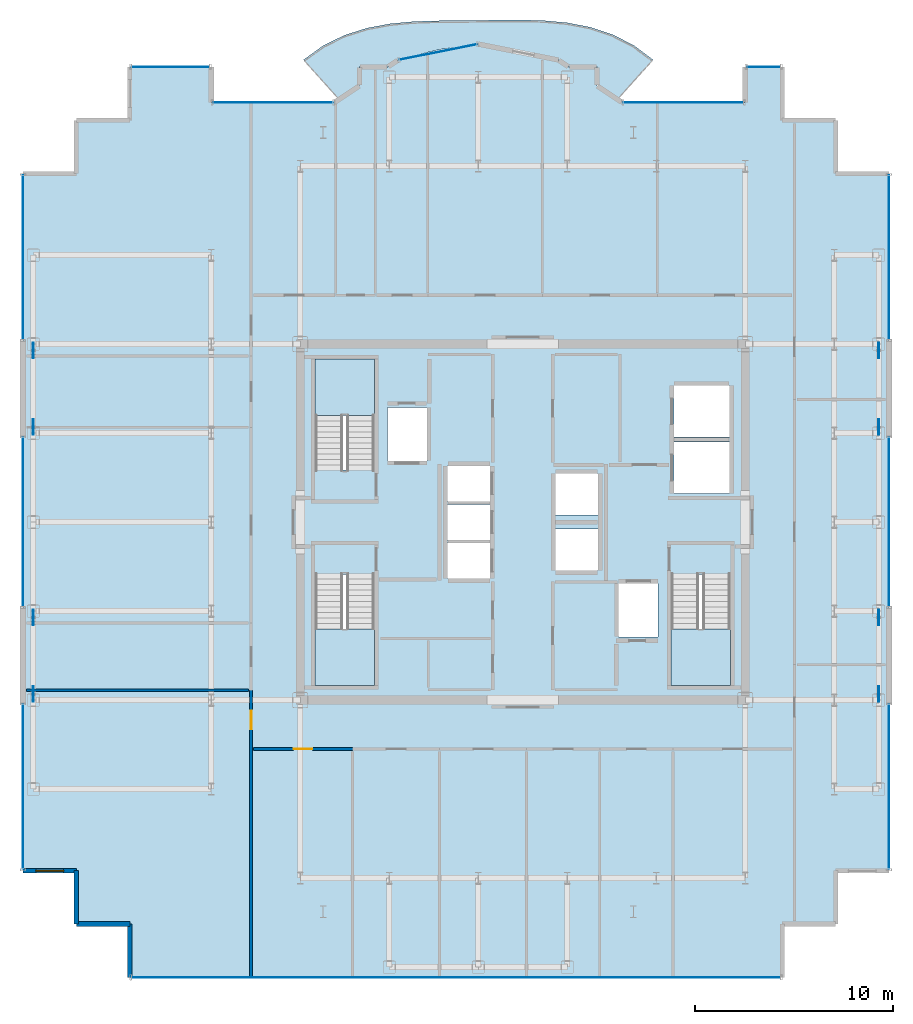
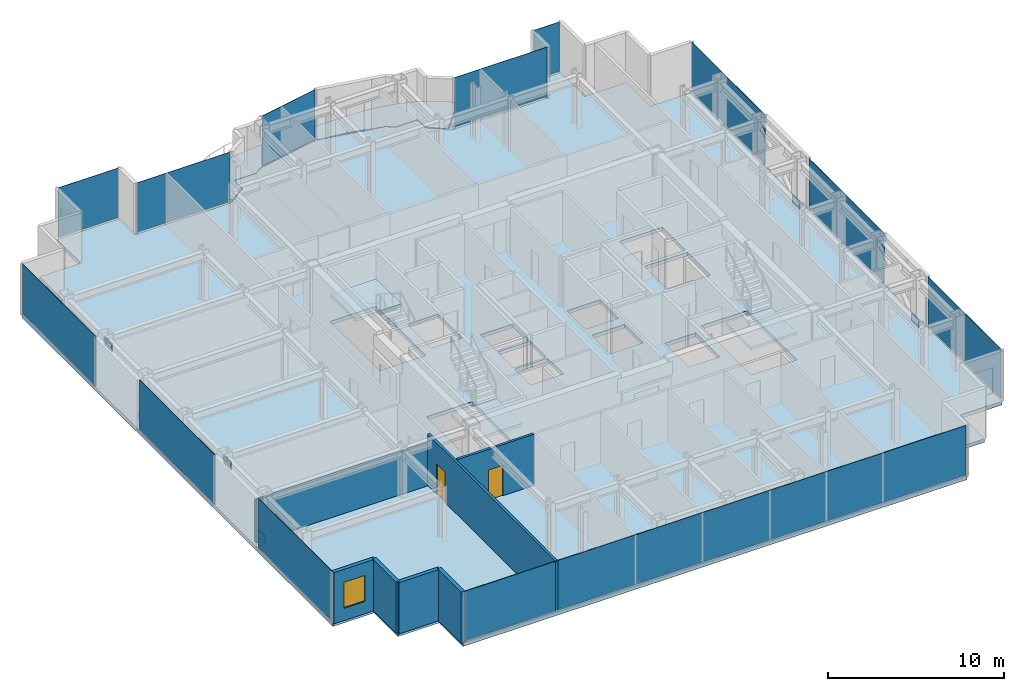
# One storey, part 10 of 16: 20 plates, 7 walls, 5 slabs, 2 doors, 1 window, 3 openings, 15 elements without a shape of their own.
"""IFC4 building model written with IfcOpenShell, lengths in metres."""

from ifc_helpers import new_model, si_unit, direction, frame, frame_2d, origin, origin_2d, place, context, subcontext, project, spatial, polyline, rectangle, outline, extrude, source, transform, mapped, material, layer, layer_set, type_object, element, fill, aggregate, save


model = new_model("IFC4")

# Units and contexts
model_context = context("Model", 3, precision=1e-05, world=origin(), true_north=direction((0.0, 1.0)))
body_context = subcontext(model_context, "Body", "Model", "MODEL_VIEW")
ifc_project = project(units=[si_unit("LENGTHUNIT", "METRE"), si_unit("AREAUNIT", "SQUARE_METRE"), si_unit("VOLUMEUNIT", "CUBIC_METRE"), si_unit("PLANEANGLEUNIT", "RADIAN"), si_unit("MASSUNIT", "GRAM", prefix="KILO")], contexts=[model_context])

# Site, building, storey
site_placement = place(None, origin())
site = spatial("IfcSite", under=ifc_project, at=site_placement, CompositionType="ELEMENT")
building_placement = place(site_placement, origin())
building = spatial("IfcBuilding", under=site, at=building_placement, Name="Nefas-Gora Pilgrimage Tower", CompositionType="ELEMENT")
storey_placement = place(building_placement, frame((0.0, 0.0, 276.0)))
storey = spatial("IfcBuildingStorey", under=building, at=storey_placement, Name="L69", CompositionType="ELEMENT", Elevation=276.0)

# Slabs
ifc_material_1 = material(Name="Concrete C40/50", Category="concrete")
ifc_layer_1 = layer(ifc_material_1, 0.22998046875)
ifc_layer_set_1 = layer_set([ifc_layer_1], Name="Concrete C40/50")
slab_type_1 = type_object("IfcSlabType", Name="SLB-BAL-P2", PredefinedType="FLOOR", material=ifc_layer_set_1)
slab_1_placement = place(storey_placement, frame((0.0, 0.0, -0.22998046875)))
element("IfcSlab", 1, at=slab_1_placement, inside=storey, type_object=slab_type_1, Name="L69 Sinusoidal Lobe Balcony Slab N (Phase 2)", PredefinedType="FLOOR", context=body_context, shape_type="SweptSolid", body=[
    extrude(outline(polyline([(-9.28759765625, 21.385986328125), (-9.224609375, 21.427978515625), (-8.538330078125, 21.9912109375), (-8.260009765625, 22.179931640625), (-8.260009765625, 23.02001953125), (-8.260009765625, 23.02099609375), (-8.259765625, 23.02197265625), (-8.259521484375, 23.02294921875), (-8.25927734375, 23.023681640625), (-8.2587890625, 23.024658203125), (-8.25830078125, 23.025634765625), (-8.2578125, 23.0263671875), (-8.257080078125, 23.027099609375), (-8.25634765625, 23.027587890625), (-8.255615234375, 23.0283203125), (-8.254638671875, 23.02880859375), (-8.25390625, 23.029296875), (-8.2529296875, 23.029541015625), (-8.251953125, 23.02978515625), (-8.2509765625, 23.030029296875), (-8.25, 23.030029296875), (-6.8271484375, 23.030029296875), (-6.31298828125, 23.37353515625), (-6.31201171875, 23.3740234375), (-6.311279296875, 23.37451171875), (-6.310302734375, 23.375), (-6.309326171875, 23.375), (-5.63037109375, 23.51025390625), (-5.102783203125, 23.685302734375), (-4.165283203125, 23.904052734375), (-3.211669921875, 24.035888671875), (-2.919921875, 24.04931640625), (-2.251953125, 24.18212890625), (-2.2509765625, 24.182373046875), (-2.25, 24.182373046875), (-2.2490234375, 24.182373046875), (-2.248046875, 24.18212890625), (-1.580078125, 24.04931640625), (-1.288330078125, 24.035888671875), (-0.334716796875, 23.904052734375), (0.602783203125, 23.685302734375), (1.13037109375, 23.51025390625), (1.809326171875, 23.375), (1.810302734375, 23.375), (1.811279296875, 23.37451171875), (1.81201171875, 23.3740234375), (1.81298828125, 23.37353515625), (2.3271484375, 23.030029296875), (3.75, 23.030029296875), (3.7509765625, 23.030029296875), (3.751953125, 23.02978515625), (3.7529296875, 23.029541015625), (3.75390625, 23.029296875), (3.754638671875, 23.02880859375), (3.755615234375, 23.0283203125), (3.75634765625, 23.027587890625), (3.757080078125, 23.027099609375), (3.7578125, 23.0263671875), (3.75830078125, 23.025634765625), (3.7587890625, 23.024658203125), (3.75927734375, 23.023681640625), (3.759521484375, 23.02294921875), (3.759765625, 23.02197265625), (3.760009765625, 23.02099609375), (3.760009765625, 23.02001953125), (3.760009765625, 22.179931640625), (4.038330078125, 21.9912109375), (4.724609375, 21.427978515625), (4.78759765625, 21.385986328125), (6.58251953125, 23.37939453125), (5.61669921875, 24.10498046875), (4.54248046875, 24.654296875), (3.401611328125, 25.0302734375), (2.23486328125, 25.25341796875), (1.074951171875, 25.359130859375), (-0.059326171875, 25.389404296875), (-1.16455078125, 25.3837890625), (-2.25, 25.37060546875), (-3.33349609375, 25.36181640625), (-4.43310546875, 25.349365234375), (-5.560302734375, 25.307861328125), (-6.714111328125, 25.19921875), (-7.87744140625, 24.9814453125), (-9.0205078125, 24.618408203125), (-10.102294921875, 24.085693359375), (-11.080810546875, 23.377685546875), (-9.28759765625, 21.385986328125)])), origin(), (0.0, 0.0, 1.0), 0.22998046875),
])
ifc_layer_2 = layer(ifc_material_1, 0.25)
ifc_layer_set_2 = layer_set([ifc_layer_2], Name="Concrete C40/50")
slab_type_2 = type_object("IfcSlabType", Name="SLB-TWR-260", PredefinedType="FLOOR", material=ifc_layer_set_2)
slab_2_placement = place(storey_placement, frame((0.0, 0.0, -0.25)))
element("IfcSlab", 2, at=slab_2_placement, inside=storey, type_object=slab_type_2, Name="L69 Structural Floor Slab", PredefinedType="FLOOR", context=body_context, shape_type="SweptSolid", body=[
    extrude(outline(polyline([(15.820068359375, -17.6201171875), (18.52001953125, -17.6201171875), (18.52001953125, 17.6201171875), (15.820068359375, 17.6201171875), (15.820068359375, 20.320068359375), (13.1201171875, 20.320068359375), (13.1201171875, 23.02001953125), (11.25, 23.02001953125), (11.25, 21.219970703125), (5.01806640625, 21.219970703125), (3.75, 22.0673828125), (3.75, 23.02001953125), (2.32421875, 23.02001953125), (1.807373046875, 23.365234375), (-2.25, 24.17236328125), (-6.307373046875, 23.365234375), (-6.82421875, 23.02001953125), (-8.25, 23.02001953125), (-8.25, 22.0673828125), (-9.51806640625, 21.219970703125), (-15.75, 21.219970703125), (-15.75, 23.02001953125), (-19.8701171875, 23.02001953125), (-19.8701171875, 20.320068359375), (-22.570068359375, 20.320068359375), (-22.570068359375, 17.6201171875), (-25.27001953125, 17.6201171875), (-25.27001953125, -17.6201171875), (-22.570068359375, -17.6201171875), (-22.570068359375, -20.320068359375), (-19.8701171875, -20.320068359375), (-19.8701171875, -23.02001953125), (13.1201171875, -23.02001953125), (13.1201171875, -20.320068359375), (15.820068359375, -20.320068359375), (15.820068359375, -17.6201171875)]), holes=[polyline([(-10.5, 2.639892578125), (-10.5, 8.25), (-7.5, 8.25), (-7.5, 2.639892578125), (-10.5, 2.639892578125)]), polyline([(10.5, -2.639892578125), (10.5, -8.25), (7.5, -8.25), (7.5, -2.639892578125), (10.5, -2.639892578125)]), polyline([(-7.5, -2.639892578125), (-7.5, -8.25), (-10.5, -8.25), (-10.5, -2.639892578125), (-7.5, -2.639892578125)]), polyline([(-6.85009765625, 5.800048828125), (-4.85009765625, 5.800048828125), (-4.85009765625, 3.10009765625), (-6.85009765625, 3.10009765625), (-6.85009765625, 5.800048828125)]), polyline([(4.85009765625, -3.10009765625), (6.85009765625, -3.10009765625), (6.85009765625, -5.800048828125), (4.85009765625, -5.800048828125), (4.85009765625, -3.10009765625)]), polyline([(7.64990234375, 4.050048828125), (10.449951171875, 4.050048828125), (10.449951171875, 1.449951171875), (7.64990234375, 1.449951171875), (7.64990234375, 4.050048828125)]), polyline([(7.64990234375, 6.89990234375), (10.449951171875, 6.89990234375), (10.449951171875, 4.300048828125), (7.64990234375, 4.300048828125), (7.64990234375, 6.89990234375)]), polyline([(-3.800048828125, -1.050048828125), (-1.64990234375, -1.050048828125), (-1.64990234375, -2.85009765625), (-3.800048828125, -2.85009765625), (-3.800048828125, -1.050048828125)]), polyline([(-3.800048828125, 0.89990234375), (-1.64990234375, 0.89990234375), (-1.64990234375, -0.89990234375), (-3.800048828125, -0.89990234375), (-3.800048828125, 0.89990234375)]), polyline([(-3.800048828125, 2.85009765625), (-1.64990234375, 2.85009765625), (-1.64990234375, 1.050048828125), (-3.800048828125, 1.050048828125), (-3.800048828125, 2.85009765625)]), polyline([(1.64990234375, -0.35009765625), (3.800048828125, -0.35009765625), (3.800048828125, -2.449951171875), (1.64990234375, -2.449951171875), (1.64990234375, -0.35009765625)]), polyline([(1.64990234375, 2.449951171875), (3.800048828125, 2.449951171875), (3.800048828125, 0.35009765625), (1.64990234375, 0.35009765625), (1.64990234375, 2.449951171875)])]), origin(), (0.0, 0.0, 1.0), 0.25),
])

# Stair, slab
ifc_material_2 = material(Name="Concrete C45/55", Category="concrete")
stair_type = type_object("IfcStairType", Name="STR-1400-R1727", PredefinedType="HALF_TURN_STAIR", material=ifc_material_2)
stair_1_placement = place(storey_placement, origin())
stair_1 = element("IfcStair", 3, at=stair_1_placement, inside=storey, type_object=stair_type, Name="L69 Pressurised Tower Exit Stair ST-01", PredefinedType="HALF_TURN_STAIR")
ifc_layer_3 = layer(ifc_material_1, 0.199951171875)
ifc_layer_set_3 = layer_set([ifc_layer_3], Name="Concrete C40/50")
slab_type_3 = type_object("IfcSlabType", Name="STR-LAND-200", PredefinedType="LANDING", material=ifc_layer_set_3)
slab_3_placement = place(storey_placement, frame((0.0, 0.0, 1.699951171875)))
slab_3 = element("IfcSlab", 4, at=slab_3_placement, type_object=slab_type_3, Name="ST-01 landing 1", PredefinedType="LANDING", context=body_context, shape_type="SweptSolid", body=[
    extrude(outline(polyline([(-7.5, 5.39990234375), (-7.5, 8.25), (-10.5, 8.25), (-10.5, 5.39990234375), (-7.5, 5.39990234375)])), origin(), (0.0, 0.0, 1.0), 0.199951171875),
])
aggregate(stair_1, [slab_3])

stair_2_placement = place(storey_placement, origin())
stair_2 = element("IfcStair", 5, at=stair_2_placement, inside=storey, type_object=stair_type, Name="L69 Pressurised Tower Exit Stair ST-02", PredefinedType="HALF_TURN_STAIR")
slab_4_placement = place(storey_placement, frame((0.0, 0.0, 1.699951171875)))
slab_4 = element("IfcSlab", 6, at=slab_4_placement, type_object=slab_type_3, Name="ST-02 landing 1", PredefinedType="LANDING", context=body_context, shape_type="SweptSolid", body=[
    extrude(outline(polyline([(7.5, -5.39990234375), (7.5, -8.25), (10.5, -8.25), (10.5, -5.39990234375), (7.5, -5.39990234375)])), origin(), (0.0, 0.0, 1.0), 0.199951171875),
])
aggregate(stair_2, [slab_4])

stair_3_placement = place(storey_placement, origin())
stair_3 = element("IfcStair", 7, at=stair_3_placement, inside=storey, type_object=stair_type, Name="L69 Pressurised Tower Exit Stair ST-03", PredefinedType="HALF_TURN_STAIR")
slab_5_placement = place(storey_placement, frame((0.0, 0.0, 1.699951171875)))
slab_5 = element("IfcSlab", 8, at=slab_5_placement, type_object=slab_type_3, Name="ST-03 landing 1", PredefinedType="LANDING", context=body_context, shape_type="SweptSolid", body=[
    extrude(outline(polyline([(-10.5, -5.39990234375), (-10.5, -8.25), (-7.5, -8.25), (-7.5, -5.39990234375), (-10.5, -5.39990234375)])), origin(), (0.0, 0.0, 1.0), 0.199951171875),
])
aggregate(stair_3, [slab_5])

# Plates
ifc_material_3 = material(Name="Steel S355", Category="steel")
ifc_layer_4 = layer(ifc_material_3, 0.052001953125)
ifc_layer_set_4 = layer_set([ifc_layer_4], Name="Steel S355")
plate_type_1 = type_object("IfcPlateType", Name="PLT-NODE-N09", PredefinedType="USERDEFINED", material=ifc_layer_set_4)
shared_shape_1 = source(origin(), body_context, "Body", "SweptSolid", [
    extrude(rectangle(XDim=0.780029296875, YDim=0.0380859375, at=origin_2d()), origin(), (0.0, 0.0, 1.0), 0.5400390625),
])
for number, where, z_axis, x_axis, name in (
    (9, (-24.75, -8.68701171875, 0.10400390625), (0.0, 0.0, 1.0), (0.0, 1.0, 0.0), "Structural Node Gusset Plate N09 (L69)"),
    (10, (-24.75, -4.81298828125, 2.8759765625), (0.0, 0.0, 1.0), (0.0, 1.0, 0.0), "Structural Node Gusset Plate N09 (L69)"),
    (11, (-24.75, 4.81298828125, 0.10400390625), (0.0, 0.0, 1.0), (0.0, 1.0, 0.0), "Structural Node Gusset Plate N09 (L69)"),
    (12, (-24.75, 8.68701171875, 2.8759765625), (0.0, 0.0, 1.0), (0.0, 1.0, 0.0), "Structural Node Gusset Plate N09 (L69)"),
    (13, (18.0, -8.68701171875, 0.10400390625), (0.0, 0.0, 1.0), (0.0, 1.0, 0.0), "Structural Node Gusset Plate N09 (L69)"),
    (14, (18.0, -4.81298828125, 2.8759765625), (0.0, 0.0, 1.0), (0.0, 1.0, 0.0), "Structural Node Gusset Plate N09 (L69)"),
    (15, (18.0, 4.81298828125, 0.10400390625), (0.0, 0.0, 1.0), (0.0, 1.0, 0.0), "Structural Node Gusset Plate N09 (L69)"),
    (16, (18.0, 8.68701171875, 2.8759765625), (0.0, 0.0, 1.0), (0.0, 1.0, 0.0), "Structural Node Gusset Plate N09 (L69)"),
):
    element("IfcPlate", number, at=place(storey_placement, frame(where, z_axis=z_axis, x_axis=x_axis)), inside=storey, type_object=plate_type_1, Name=name, ObjectType="GUSSET_PLATE", PredefinedType="USERDEFINED", context=body_context, shape_type="MappedRepresentation", body=[
        mapped(shared_shape_1, transform((0.0, 0.0, 0.0), x_axis=(1.0, 0.0, 0.0), y_axis=(0.0, 1.0, 0.0), z_axis=(0.0, 0.0, 1.0), scale=1.0)),
    ])

# Curtain wall, plate
ifc_material_4 = material(Name="Dark ceramic-fritted solar-control aluminium-glass curtain wall", Category="aluminium")
ifc_layer_5 = layer(ifc_material_4, 0.219970703125)
ifc_layer_set_5 = layer_set([ifc_layer_5], Name="Dark ceramic-fritted solar-control aluminium-glass curtain wall")
curtain_wall_type_1 = type_object("IfcCurtainWallType", Name="CW-SYS-5", PredefinedType="NOTDEFINED", material=ifc_layer_set_5)
curtain_wall_1_placement = place(storey_placement, origin())
curtain_wall_1 = element("IfcCurtainWall", 17, at=curtain_wall_1_placement, inside=storey, type_object=curtain_wall_type_1, Name="L69 Unitised Curtain Wall CW5", PredefinedType="NOTDEFINED")
ifc_material_5 = material(Name="Dark ceramic-printed low-e insulated glass", Category="glass")
ifc_layer_6 = layer(ifc_material_5, 0.028076171875)
ifc_layer_set_6 = layer_set([ifc_layer_6], Name="Dark ceramic-printed low-e insulated glass")
plate_type_2 = type_object("IfcPlateType", Name="CWP-PNL-5", PredefinedType="CURTAIN_PANEL", material=ifc_layer_set_6)
shared_shape_2 = source(origin(), body_context, "Body", "SweptSolid", [
    extrude(rectangle(XDim=6.052001953125, YDim=0.028076171875, at=origin_2d()), origin(), (0.0, 0.0, 1.0), 3.43994140625),
])
plate_1_placement = place(storey_placement, frame((8.134033203125, 21.219970703125, 0.10009765625), z_axis=(0.0, 0.0, 1.0), x_axis=(-1.0, 0.0, 0.0)))
plate_1 = element("IfcPlate", 18, at=plate_1_placement, type_object=plate_type_2, Name="CW5 Ceramic-Fritted Glazing Panel 1", PredefinedType="CURTAIN_PANEL", context=body_context, shape_type="MappedRepresentation", body=[
    mapped(shared_shape_2, transform((0.0, 0.0, 0.0), x_axis=(1.0, 0.0, 0.0), y_axis=(0.0, 1.0, 0.0), z_axis=(0.0, 0.0, 1.0), scale=1.0)),
])
aggregate(curtain_wall_1, [plate_1])

curtain_wall_2_placement = place(storey_placement, origin())
curtain_wall_2 = element("IfcCurtainWall", 19, at=curtain_wall_2_placement, inside=storey, type_object=curtain_wall_type_1, Name="L69 Unitised Curtain Wall CW5", PredefinedType="NOTDEFINED")
plate_2_placement = place(storey_placement, frame((-12.634033203125, 21.219970703125, 0.10009765625), z_axis=(0.0, 0.0, 1.0), x_axis=(-1.0, 0.0, 0.0)))
plate_2 = element("IfcPlate", 20, at=plate_2_placement, type_object=plate_type_2, Name="CW5 Ceramic-Fritted Glazing Panel 1", PredefinedType="CURTAIN_PANEL", context=body_context, shape_type="MappedRepresentation", body=[
    mapped(shared_shape_2, transform((0.0, 0.0, 0.0), x_axis=(1.0, 0.0, 0.0), y_axis=(0.0, 1.0, 0.0), z_axis=(0.0, 0.0, 1.0), scale=1.0)),
])
aggregate(curtain_wall_2, [plate_2])

curtain_wall_3_placement = place(storey_placement, origin())
curtain_wall_3 = element("IfcCurtainWall", 21, at=curtain_wall_3_placement, inside=storey, type_object=curtain_wall_type_1, Name="L69 Unitised Curtain Wall CW5", PredefinedType="NOTDEFINED")
shared_shape_3 = source(origin(), body_context, "Body", "SweptSolid", [
    extrude(rectangle(XDim=3.956787109375, YDim=0.028076171875, at=origin_2d()), origin(), (0.0, 0.0, 1.0), 3.43994140625),
])
plate_3_placement = place(storey_placement, frame((-4.278564453125, 23.768798828125, 0.10009765625), z_axis=(0.0, 0.0, 1.0), x_axis=(-0.980782896852, -0.195102304554, 0.0)))
plate_3 = element("IfcPlate", 22, at=plate_3_placement, type_object=plate_type_2, Name="CW5 Ceramic-Fritted Glazing Panel 1", PredefinedType="CURTAIN_PANEL", context=body_context, shape_type="MappedRepresentation", body=[
    mapped(shared_shape_3, transform((0.0, 0.0, 0.0), x_axis=(1.0, 0.0, 0.0), y_axis=(0.0, 1.0, 0.0), z_axis=(0.0, 0.0, 1.0), scale=1.0)),
])
aggregate(curtain_wall_3, [plate_3])

ifc_layer_7 = layer(ifc_material_4, 0.219970703125)
ifc_layer_set_7 = layer_set([ifc_layer_7], Name="Dark ceramic-fritted solar-control aluminium-glass curtain wall")
curtain_wall_type_2 = type_object("IfcCurtainWallType", Name="CW-SYS-4", PredefinedType="NOTDEFINED", material=ifc_layer_set_7)
curtain_wall_4_placement = place(storey_placement, origin())
curtain_wall_4 = element("IfcCurtainWall", 23, at=curtain_wall_4_placement, inside=storey, type_object=curtain_wall_type_2, Name="L69 Unitised Curtain Wall CW4", PredefinedType="NOTDEFINED")
ifc_layer_8 = layer(ifc_material_5, 0.030029296875)
ifc_layer_set_8 = layer_set([ifc_layer_8], Name="Dark ceramic-printed low-e insulated glass")
plate_type_3 = type_object("IfcPlateType", Name="CWP-PNL-4", PredefinedType="CURTAIN_PANEL", material=ifc_layer_set_8)
shared_shape_4 = source(origin(), body_context, "Body", "SweptSolid", [
    extrude(rectangle(XDim=8.2900390625, YDim=0.030029296875, at=origin_2d()), origin(), (0.0, 0.0, 1.0), 3.43994140625),
])
plate_4_placement = place(storey_placement, frame((18.52001953125, -13.385009765625, 0.10009765625), z_axis=(0.0, 0.0, 1.0), x_axis=(0.0, 1.0, 0.0)))
plate_4 = element("IfcPlate", 24, at=plate_4_placement, type_object=plate_type_3, Name="CW4 Ceramic-Fritted Glazing Panel 1", PredefinedType="CURTAIN_PANEL", context=body_context, shape_type="MappedRepresentation", body=[
    mapped(shared_shape_4, transform((0.0, 0.0, 0.0), x_axis=(1.0, 0.0, 0.0), y_axis=(0.0, 1.0, 0.0), z_axis=(0.0, 0.0, 1.0), scale=1.0)),
])
aggregate(curtain_wall_4, [plate_4])

curtain_wall_5_placement = place(storey_placement, origin())
curtain_wall_5 = element("IfcCurtainWall", 25, at=curtain_wall_5_placement, inside=storey, type_object=curtain_wall_type_2, Name="L69 Unitised Curtain Wall CW4", PredefinedType="NOTDEFINED")
plate_5_placement = place(storey_placement, frame((18.52001953125, 13.385009765625, 0.10009765625), z_axis=(0.0, 0.0, 1.0), x_axis=(0.0, 1.0, 0.0)))
plate_5 = element("IfcPlate", 26, at=plate_5_placement, type_object=plate_type_3, Name="CW4 Ceramic-Fritted Glazing Panel 1", PredefinedType="CURTAIN_PANEL", context=body_context, shape_type="MappedRepresentation", body=[
    mapped(shared_shape_4, transform((0.0, 0.0, 0.0), x_axis=(1.0, 0.0, 0.0), y_axis=(0.0, 1.0, 0.0), z_axis=(0.0, 0.0, 1.0), scale=1.0)),
])
aggregate(curtain_wall_5, [plate_5])

curtain_wall_6_placement = place(storey_placement, origin())
curtain_wall_6 = element("IfcCurtainWall", 27, at=curtain_wall_6_placement, inside=storey, type_object=curtain_wall_type_2, Name="L69 Unitised Curtain Wall CW4", PredefinedType="NOTDEFINED")
plate_6_placement = place(storey_placement, frame((-25.27001953125, 13.385009765625, 0.10009765625), z_axis=(0.0, 0.0, 1.0), x_axis=(0.0, -1.0, 0.0)))
plate_6 = element("IfcPlate", 28, at=plate_6_placement, type_object=plate_type_3, Name="CW4 Ceramic-Fritted Glazing Panel 1", PredefinedType="CURTAIN_PANEL", context=body_context, shape_type="MappedRepresentation", body=[
    mapped(shared_shape_4, transform((0.0, 0.0, 0.0), x_axis=(1.0, 0.0, 0.0), y_axis=(0.0, 1.0, 0.0), z_axis=(0.0, 0.0, 1.0), scale=1.0)),
])
aggregate(curtain_wall_6, [plate_6])

curtain_wall_7_placement = place(storey_placement, origin())
curtain_wall_7 = element("IfcCurtainWall", 29, at=curtain_wall_7_placement, inside=storey, type_object=curtain_wall_type_2, Name="L69 Unitised Curtain Wall CW4", PredefinedType="NOTDEFINED")
plate_7_placement = place(storey_placement, frame((-25.27001953125, -13.385009765625, 0.10009765625), z_axis=(0.0, 0.0, 1.0), x_axis=(0.0, -1.0, 0.0)))
plate_7 = element("IfcPlate", 30, at=plate_7_placement, type_object=plate_type_3, Name="CW4 Ceramic-Fritted Glazing Panel 1", PredefinedType="CURTAIN_PANEL", context=body_context, shape_type="MappedRepresentation", body=[
    mapped(shared_shape_4, transform((0.0, 0.0, 0.0), x_axis=(1.0, 0.0, 0.0), y_axis=(0.0, 1.0, 0.0), z_axis=(0.0, 0.0, 1.0), scale=1.0)),
])
aggregate(curtain_wall_7, [plate_7])

curtain_wall_8_placement = place(storey_placement, origin())
curtain_wall_8 = element("IfcCurtainWall", 31, at=curtain_wall_8_placement, inside=storey, type_object=curtain_wall_type_2, Name="L69 Unitised Curtain Wall CW4", PredefinedType="NOTDEFINED")
shared_shape_5 = source(origin(), body_context, "Body", "SweptSolid", [
    extrude(rectangle(XDim=8.52001953125, YDim=0.030029296875, at=origin_2d()), origin(), (0.0, 0.0, 1.0), 3.43994140625),
])
plate_8_placement = place(storey_placement, frame((18.52001953125, 0.0, 0.10009765625), z_axis=(0.0, 0.0, 1.0), x_axis=(0.0, 1.0, 0.0)))
plate_8 = element("IfcPlate", 32, at=plate_8_placement, type_object=plate_type_3, Name="CW4 Ceramic-Fritted Glazing Panel 1", PredefinedType="CURTAIN_PANEL", context=body_context, shape_type="MappedRepresentation", body=[
    mapped(shared_shape_5, transform((0.0, 0.0, 0.0), x_axis=(1.0, 0.0, 0.0), y_axis=(0.0, 1.0, 0.0), z_axis=(0.0, 0.0, 1.0), scale=1.0)),
])
aggregate(curtain_wall_8, [plate_8])

curtain_wall_9_placement = place(storey_placement, origin())
curtain_wall_9 = element("IfcCurtainWall", 33, at=curtain_wall_9_placement, inside=storey, type_object=curtain_wall_type_2, Name="L69 Unitised Curtain Wall CW4", PredefinedType="NOTDEFINED")
plate_9_placement = place(storey_placement, frame((-25.27001953125, 0.0, 0.10009765625), z_axis=(0.0, 0.0, 1.0), x_axis=(0.0, -1.0, 0.0)))
plate_9 = element("IfcPlate", 34, at=plate_9_placement, type_object=plate_type_3, Name="CW4 Ceramic-Fritted Glazing Panel 1", PredefinedType="CURTAIN_PANEL", context=body_context, shape_type="MappedRepresentation", body=[
    mapped(shared_shape_5, transform((0.0, 0.0, 0.0), x_axis=(1.0, 0.0, 0.0), y_axis=(0.0, 1.0, 0.0), z_axis=(0.0, 0.0, 1.0), scale=1.0)),
])
aggregate(curtain_wall_9, [plate_9])

curtain_wall_10_placement = place(storey_placement, origin())
curtain_wall_10 = element("IfcCurtainWall", 35, at=curtain_wall_10_placement, inside=storey, type_object=curtain_wall_type_2, Name="L69 Unitised Curtain Wall CW4", PredefinedType="NOTDEFINED")
shared_shape_6 = source(origin(), body_context, "Body", "SweptSolid", [
    extrude(rectangle(XDim=1.68994140625, YDim=0.030029296875, at=origin_2d()), origin(), (0.0, 0.0, 1.0), 3.43994140625),
])
plate_10_placement = place(storey_placement, frame((12.18505859375, 23.02001953125, 0.10009765625), z_axis=(0.0, 0.0, 1.0), x_axis=(-1.0, 0.0, 0.0)))
plate_10 = element("IfcPlate", 36, at=plate_10_placement, type_object=plate_type_3, Name="CW4 Ceramic-Fritted Glazing Panel 1", PredefinedType="CURTAIN_PANEL", context=body_context, shape_type="MappedRepresentation", body=[
    mapped(shared_shape_6, transform((0.0, 0.0, 0.0), x_axis=(1.0, 0.0, 0.0), y_axis=(0.0, 1.0, 0.0), z_axis=(0.0, 0.0, 1.0), scale=1.0)),
])
aggregate(curtain_wall_10, [plate_10])

curtain_wall_11_placement = place(storey_placement, origin())
curtain_wall_11 = element("IfcCurtainWall", 37, at=curtain_wall_11_placement, inside=storey, type_object=curtain_wall_type_2, Name="L69 Unitised Curtain Wall CW4", PredefinedType="NOTDEFINED")
shared_shape_7 = source(origin(), body_context, "Body", "SweptSolid", [
    extrude(rectangle(XDim=3.93994140625, YDim=0.030029296875, at=origin_2d()), origin(), (0.0, 0.0, 1.0), 3.43994140625),
])
plate_11_placement = place(storey_placement, frame((-17.81005859375, 23.02001953125, 0.10009765625), z_axis=(0.0, 0.0, 1.0), x_axis=(-1.0, 0.0, 0.0)))
plate_11 = element("IfcPlate", 38, at=plate_11_placement, type_object=plate_type_3, Name="CW4 Ceramic-Fritted Glazing Panel 1", PredefinedType="CURTAIN_PANEL", context=body_context, shape_type="MappedRepresentation", body=[
    mapped(shared_shape_7, transform((0.0, 0.0, 0.0), x_axis=(1.0, 0.0, 0.0), y_axis=(0.0, 1.0, 0.0), z_axis=(0.0, 0.0, 1.0), scale=1.0)),
])
aggregate(curtain_wall_11, [plate_11])

curtain_wall_12_placement = place(storey_placement, origin())
curtain_wall_12 = element("IfcCurtainWall", 39, at=curtain_wall_12_placement, inside=storey, type_object=curtain_wall_type_2, Name="L69 Unitised Curtain Wall CW4", PredefinedType="NOTDEFINED")
shared_shape_8 = source(origin(), body_context, "Body", "SweptSolid", [
    extrude(rectangle(XDim=32.81005859375, YDim=0.030029296875, at=origin_2d()), origin(), (0.0, 0.0, 1.0), 3.43994140625),
])
plate_12_placement = place(storey_placement, frame((-3.375, -23.02001953125, 0.10009765625), z_axis=(0.0, 0.0, 1.0), x_axis=(1.0, 0.0, 0.0)))
plate_12 = element("IfcPlate", 40, at=plate_12_placement, type_object=plate_type_3, Name="CW4 Ceramic-Fritted Glazing Panel 1", PredefinedType="CURTAIN_PANEL", context=body_context, shape_type="MappedRepresentation", body=[
    mapped(shared_shape_8, transform((0.0, 0.0, 0.0), x_axis=(1.0, 0.0, 0.0), y_axis=(0.0, 1.0, 0.0), z_axis=(0.0, 0.0, 1.0), scale=1.0)),
])
aggregate(curtain_wall_12, [plate_12])

# Wall, opening, window
ifc_material_6 = material(Name="Precast concrete C45/55", Category="concrete")
ifc_layer_9 = layer(ifc_material_6, 0.239990234375)
ifc_layer_set_9 = layer_set([ifc_layer_9], Name="Precast concrete C45/55")
wall_type_1 = type_object("IfcWallType", Name="EW-SERR-240", PredefinedType="SHEAR", material=ifc_layer_set_9)
shared_shape_9 = source(origin(), body_context, "Body", "SweptSolid", [
    extrude(rectangle(XDim=2.699951171875, YDim=0.239990234375, at=frame_2d((1.35009765625, 0.0))), origin(), (0.0, 0.0, 1.0), 3.550048828125),
])
wall_1_placement = place(storey_placement, frame((-25.27001953125, -17.6201171875, 0.0), z_axis=(0.0, 0.0, 1.0), x_axis=(1.0, 0.0, 0.0)))
wall_1 = element("IfcWall", 41, at=wall_1_placement, inside=storey, type_object=wall_type_1, Name="L69 Serrated Corner Shear Pier Wall 25", PredefinedType="SHEAR", context=body_context, shape_type="MappedRepresentation", body=[
    mapped(shared_shape_9, transform((0.0, 0.0, 0.0), x_axis=(1.0, 0.0, 0.0), y_axis=(0.0, 1.0, 0.0), z_axis=(0.0, 0.0, 1.0), scale=1.0)),
])
opening_1_placement = place(wall_1_placement, frame((0.64990234375, 0.0, 0.85009765625)))
opening_1 = element("IfcOpeningElement", 42, at=opening_1_placement, cuts=wall_1, Name="Opening W-V2", PredefinedType="OPENING", context=body_context, shape_type="SweptSolid", body=[
    extrude(rectangle(XDim=1.39990234375, YDim=1.800048828125, at=frame_2d((0.699951171875, 0.89990234375))), frame((0.0, 0.1298828125, 0.0), z_axis=(0.0, -1.0, 0.0), x_axis=(1.0, 0.0, 0.0)), (0.0, 0.0, 1.0), 0.260009765625),
])
ifc_material_7 = material(Name="Dark ceramic-fritted operable aluminium-glass window", Category="aluminium")
window_type = type_object("IfcWindowType", Name="WIN-VENT-1400x1800", PartitioningType="SINGLE_PANEL", PredefinedType="WINDOW", material=ifc_material_7)
shared_shape_10 = source(origin(), body_context, "Body", "SweptSolid", [
    extrude(rectangle(XDim=1.39990234375, YDim=1.800048828125, at=frame_2d((0.699951171875, 0.89990234375))), frame((0.0, 0.030029296875, 0.0), z_axis=(0.0, -1.0, 0.0), x_axis=(1.0, 0.0, 0.0)), (0.0, 0.0, 1.0), 0.06005859375),
])
window_placement = place(opening_1_placement, origin())
window = element("IfcWindow", 43, at=window_placement, inside=storey, type_object=window_type, Name="L69 Operable Parallel-Outswing Window 25", OverallHeight=1.800048828125, OverallWidth=1.39990234375, PartitioningType="SINGLE_PANEL", PredefinedType="WINDOW", context=body_context, shape_type="MappedRepresentation", body=[
    mapped(shared_shape_10, transform((0.0, 0.0, 0.0), x_axis=(1.0, 0.0, 0.0), y_axis=(0.0, 1.0, 0.0), z_axis=(0.0, 0.0, 1.0), scale=1.0)),
])
fill(opening_1, window)

# Walls
for number, where, z_axis, x_axis, name in (
    (44, (-22.570068359375, -17.6201171875, 0.0), (0.0, 0.0, 1.0), (0.0, -1.0, 0.0), "L69 Serrated Corner Shear Pier Wall 26"),
    (45, (-22.570068359375, -20.320068359375, 0.0), (0.0, 0.0, 1.0), (1.0, 0.0, 0.0), "L69 Serrated Corner Shear Pier Wall 27"),
    (46, (-19.8701171875, -20.320068359375, 0.0), (0.0, 0.0, 1.0), (0.0, -1.0, 0.0), "L69 Serrated Corner Shear Pier Wall 28"),
):
    element("IfcWall", number, at=place(storey_placement, frame(where, z_axis=z_axis, x_axis=x_axis)), inside=storey, type_object=wall_type_1, Name=name, PredefinedType="SHEAR", context=body_context, shape_type="MappedRepresentation", body=[
        mapped(shared_shape_9, transform((0.0, 0.0, 0.0), x_axis=(1.0, 0.0, 0.0), y_axis=(0.0, 1.0, 0.0), z_axis=(0.0, 0.0, 1.0), scale=1.0)),
    ])

# Wall, opening, door
ifc_material_8 = material(Name="Gypsum acoustic stud partition")
ifc_layer_10 = layer(ifc_material_8, 0.159912109375)
ifc_layer_set_10 = layer_set([ifc_layer_10], Name="Gypsum acoustic stud partition")
wall_type_2 = type_object("IfcWallType", Name="IW-CORR-160", PredefinedType="PARTITIONING", material=ifc_layer_set_10)
shared_shape_11 = source(origin(), body_context, "Body", "SweptSolid", [
    extrude(rectangle(XDim=14.544921875, YDim=0.159912109375, at=frame_2d((7.2724609375, 0.0))), origin(), (0.0, 0.0, 1.0), 3.534912109375),
])
wall_2_placement = place(storey_placement, frame((-13.739990234375, -23.0400390625, 0.0), z_axis=(0.0, 0.0, 1.0), x_axis=(0.0, 1.0, 0.0)))
wall_2 = element("IfcWall", 47, at=wall_2_placement, inside=storey, type_object=wall_type_2, Name="L69 Pilgrim Tea and Beverage Pantry Partition Wall 33", PredefinedType="PARTITIONING", context=body_context, shape_type="MappedRepresentation", body=[
    mapped(shared_shape_11, transform((0.0, 0.0, 0.0), x_axis=(1.0, 0.0, 0.0), y_axis=(0.0, 1.0, 0.0), z_axis=(0.0, 0.0, 1.0), scale=1.0)),
])
opening_2_placement = place(wall_2_placement, frame((12.5625, 0.0, 0.0)))
opening_2 = element("IfcOpeningElement", 48, at=opening_2_placement, cuts=wall_2, Name="Opening ID-GR1", PredefinedType="OPENING", context=body_context, shape_type="SweptSolid", body=[
    extrude(rectangle(XDim=0.949951171875, YDim=2.10009765625, at=frame_2d((0.47509765625, 1.050048828125))), frame((0.0, 0.08984375, 0.0), z_axis=(0.0, -1.0, 0.0), x_axis=(1.0, 0.0, 0.0)), (0.0, 0.0, 1.0), 0.179931640625),
])
ifc_material_9 = material(Name="Solid core oak fire-rated guest entrance door")
door_type = type_object("IfcDoorType", Name="DR-INT-GUEST-950", OperationType="NOTDEFINED", PredefinedType="DOOR", material=ifc_material_9)
shared_shape_12 = source(origin(), body_context, "Body", "SweptSolid", [
    extrude(rectangle(XDim=0.949951171875, YDim=2.10009765625, at=frame_2d((0.47509765625, 1.050048828125))), frame((0.0, 0.02490234375, 0.0), z_axis=(0.0, -1.0, 0.0), x_axis=(1.0, 0.0, 0.0)), (0.0, 0.0, 1.0), 0.050048828125),
])
door_1_placement = place(opening_2_placement, origin())
door_1 = element("IfcDoor", 49, at=door_1_placement, inside=storey, type_object=door_type, Name="L69 Pilgrim Tea and Beverage Pantry Door 14", OperationType="SINGLE_SWING_RIGHT", OverallHeight=2.10009765625, OverallWidth=0.949951171875, PredefinedType="DOOR", context=body_context, shape_type="MappedRepresentation", body=[
    mapped(shared_shape_12, transform((0.0, 0.0, 0.0), x_axis=(1.0, 0.0, 0.0), y_axis=(0.0, 1.0, 0.0), z_axis=(0.0, 0.0, 1.0), scale=1.0)),
])
fill(opening_2, door_1)

shared_shape_13 = source(origin(), body_context, "Body", "SweptSolid", [
    extrude(rectangle(XDim=5.025146484375, YDim=0.159912109375, at=frame_2d((2.5126953125, 0.0))), origin(), (0.0, 0.0, 1.0), 3.534912109375),
])
wall_3_placement = place(storey_placement, frame((-13.6201171875, -11.469970703125, 0.0), z_axis=(0.0, 0.0, 1.0), x_axis=(1.0, 0.0, 0.0)))
wall_3 = element("IfcWall", 50, at=wall_3_placement, inside=storey, type_object=wall_type_2, Name="L69 Pilgrim Contemplative Lounge Partition Wall 55", PredefinedType="PARTITIONING", context=body_context, shape_type="MappedRepresentation", body=[
    mapped(shared_shape_13, transform((0.0, 0.0, 0.0), x_axis=(1.0, 0.0, 0.0), y_axis=(0.0, 1.0, 0.0), z_axis=(0.0, 0.0, 1.0), scale=1.0)),
])
opening_3_placement = place(wall_3_placement, frame((2.03759765625, 0.0, 0.0)))
opening_3 = element("IfcOpeningElement", 51, at=opening_3_placement, cuts=wall_3, Name="Opening ID-GR1", PredefinedType="OPENING", context=body_context, shape_type="SweptSolid", body=[
    extrude(rectangle(XDim=0.949951171875, YDim=2.10009765625, at=frame_2d((0.47509765625, 1.050048828125))), frame((0.0, 0.08984375, 0.0), z_axis=(0.0, -1.0, 0.0), x_axis=(1.0, 0.0, 0.0)), (0.0, 0.0, 1.0), 0.179931640625),
])
door_2_placement = place(opening_3_placement, origin())
door_2 = element("IfcDoor", 52, at=door_2_placement, inside=storey, type_object=door_type, Name="L69 Pilgrim Contemplative Lounge Door 27", OperationType="SINGLE_SWING_LEFT", OverallHeight=2.10009765625, OverallWidth=0.949951171875, PredefinedType="DOOR", context=body_context, shape_type="MappedRepresentation", body=[
    mapped(shared_shape_12, transform((0.0, 0.0, 0.0), x_axis=(1.0, 0.0, 0.0), y_axis=(0.0, 1.0, 0.0), z_axis=(0.0, 0.0, 1.0), scale=1.0)),
])
fill(opening_3, door_2)

# Wall
ifc_material_10 = material(Name="Gypsum twin-stud partition")
ifc_layer_11 = layer(ifc_material_10, 0.139892578125)
ifc_layer_set_11 = layer_set([ifc_layer_11], Name="Gypsum twin-stud partition")
wall_type_3 = type_object("IfcWallType", Name="IW-UNIT-140", PredefinedType="PARTITIONING", material=ifc_layer_set_11)
shared_shape_14 = source(origin(), body_context, "Body", "SweptSolid", [
    extrude(rectangle(XDim=11.219970703125, YDim=0.139892578125, at=frame_2d((5.60986328125, 0.0))), origin(), (0.0, 0.0, 1.0), 2.925048828125),
])
wall_4_placement = place(storey_placement, frame((-25.080078125, -8.5048828125, 0.0), z_axis=(0.0, 0.0, 1.0), x_axis=(1.0, 0.0, 0.0)))
element("IfcWall", 53, at=wall_4_placement, inside=storey, type_object=wall_type_3, Name="L69 Pilgrim Tea and Beverage Pantry Partition Wall 34", PredefinedType="PARTITIONING", context=body_context, shape_type="MappedRepresentation", body=[
    mapped(shared_shape_14, transform((0.0, 0.0, 0.0), x_axis=(1.0, 0.0, 0.0), y_axis=(0.0, 1.0, 0.0), z_axis=(0.0, 0.0, 1.0), scale=1.0)),
])

save(model, "model.ifc")
